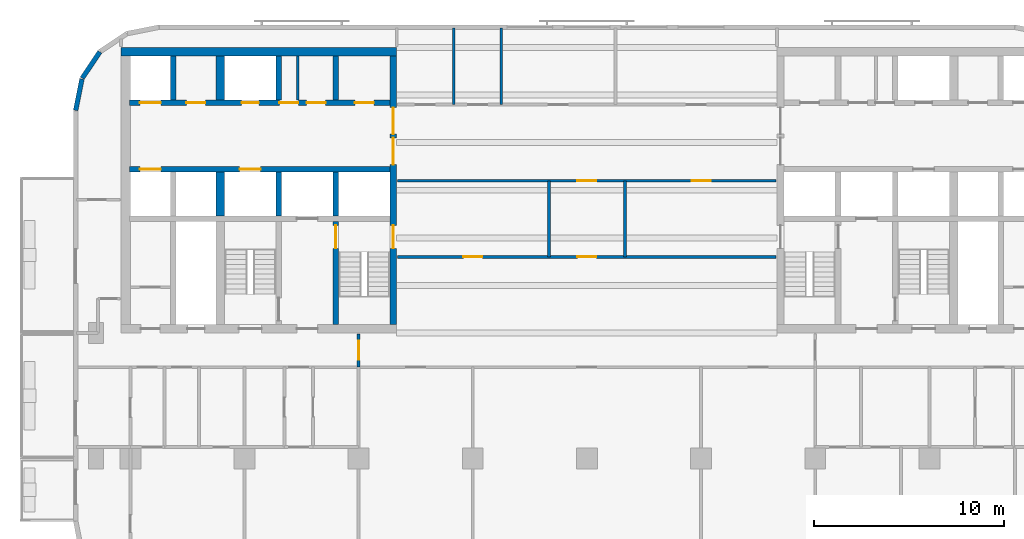
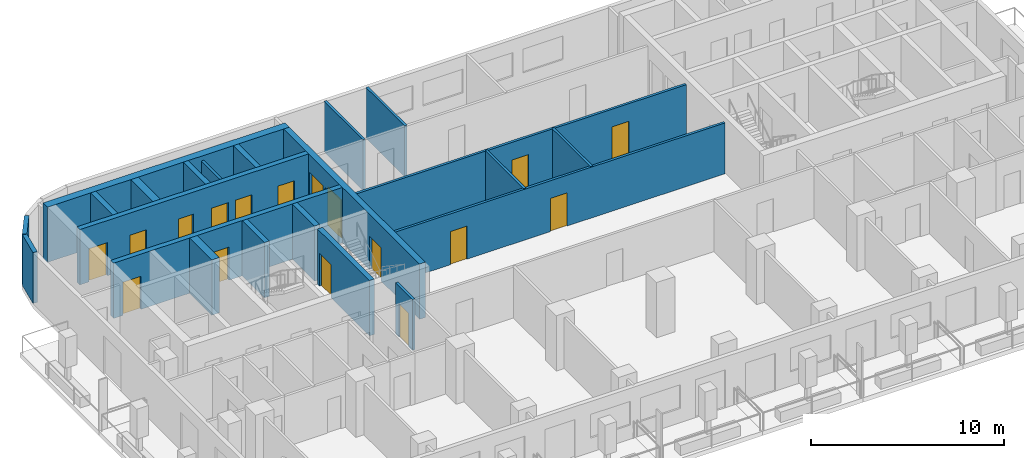
# One storey, part 4 of 11: 22 walls, 17 doors, 17 openings.
"""IFC4 building model written with IfcOpenShell, lengths in metres."""

from ifc_helpers import new_model, si_unit, direction, frame, frame_2d, origin, place, context, subcontext, project, spatial, rectangle, extrude, material, layer, layer_set, type_object, element, fill, save


model = new_model("IFC4")

# Units and contexts
model_context = context("Model", 3, precision=1e-05, world=origin(), true_north=direction((0.0, 1.0)))
body_context = subcontext(model_context, "Body", "Model", "MODEL_VIEW")
ifc_project = project(units=[si_unit("LENGTHUNIT", "METRE"), si_unit("AREAUNIT", "SQUARE_METRE"), si_unit("VOLUMEUNIT", "CUBIC_METRE"), si_unit("PLANEANGLEUNIT", "RADIAN"), si_unit("MASSUNIT", "GRAM", prefix="KILO")], contexts=[model_context])

# Site, building, storey
site_placement = place(None, origin())
site = spatial("IfcSite", under=ifc_project, at=site_placement, CompositionType="ELEMENT")
building_placement = place(site_placement, origin())
building = spatial("IfcBuilding", under=site, at=building_placement, Name="Torana Hotel and Residences", CompositionType="ELEMENT")
storey_placement = place(building_placement, frame((0.0, 0.0, 218.60009765625)))
storey = spatial("IfcBuildingStorey", under=building, at=storey_placement, Name="L57", CompositionType="ELEMENT", Elevation=218.60009765625)

# Wall, openings, doors
ifc_material_1 = material(Name="Concrete C70/85", Category="concrete")
ifc_layer_1 = layer(ifc_material_1, 0.300048828125)
ifc_layer_set_1 = layer_set([ifc_layer_1], Name="CORE WALL 300 C70/85")
wall_type_1 = type_object("IfcWallType", Name="CORE WALL 300 C70/85", PredefinedType="SHEAR", material=ifc_layer_set_1)
wall_1_placement = place(storey_placement, frame((-24.050048828125, -2.89990234375, 0.0), z_axis=(0.0, 0.0, 1.0), x_axis=(1.0, 0.0, 0.0)))
wall_1 = element("IfcWall", 1, at=wall_1_placement, inside=storey, type_object=wall_type_1, Name="Core wall W row-N", PredefinedType="SHEAR", context=body_context, shape_type="SweptSolid", body=[
    extrude(rectangle(XDim=13.699951171875, YDim=0.300048828125, at=frame_2d((6.85009765625, 0.0))), origin(), (0.0, 0.0, 1.0), 3.5),
])
opening_1_placement = place(wall_1_placement, frame((0.550048828125, 0.0, 0.0)))
opening_1 = element("IfcOpeningElement", 2, at=opening_1_placement, cuts=wall_1, Name="Opening LD", PredefinedType="OPENING", context=body_context, shape_type="SweptSolid", body=[
    extrude(rectangle(XDim=1.10009765625, YDim=2.10009765625, at=frame_2d((0.550048828125, 1.050048828125))), frame((0.0, 0.159912109375, 0.0), z_axis=(0.0, -1.0, 0.0), x_axis=(1.0, 0.0, 0.0)), (0.0, 0.0, 1.0), 0.320068359375),
])
opening_2_placement = place(wall_1_placement, frame((5.89990234375, 0.0, 0.0)))
opening_2 = element("IfcOpeningElement", 3, at=opening_2_placement, cuts=wall_1, Name="Opening L57-08", PredefinedType="OPENING", context=body_context, shape_type="SweptSolid", body=[
    extrude(rectangle(XDim=0.89990234375, YDim=2.10009765625, at=frame_2d((0.449951171875, 1.050048828125))), frame((0.0, 0.159912109375, 0.0), z_axis=(0.0, -1.0, 0.0), x_axis=(1.0, 0.0, 0.0)), (0.0, 0.0, 1.0), 0.320068359375),
])
opening_3_placement = place(wall_1_placement, frame((11.85009765625, 0.0, 0.0)))
opening_3 = element("IfcOpeningElement", 4, at=opening_3_placement, cuts=wall_1, Name="Opening L57-09", PredefinedType="OPENING", context=body_context, shape_type="SweptSolid", body=[
    extrude(rectangle(XDim=1.0, YDim=2.10009765625, at=frame_2d((0.5, 1.050048828125))), frame((0.0, 0.159912109375, 0.0), z_axis=(0.0, -1.0, 0.0), x_axis=(1.0, 0.0, 0.0)), (0.0, 0.0, 1.0), 0.320068359375),
])
opening_4_placement = place(wall_1_placement, frame((9.3125, 0.0, 0.0)))
opening_4 = element("IfcOpeningElement", 5, at=opening_4_placement, cuts=wall_1, Name="Opening L57-10", PredefinedType="OPENING", context=body_context, shape_type="SweptSolid", body=[
    extrude(rectangle(XDim=1.0, YDim=2.10009765625, at=frame_2d((0.5, 1.050048828125))), frame((0.0, 0.159912109375, 0.0), z_axis=(0.0, -1.0, 0.0), x_axis=(1.0, 0.0, 0.0)), (0.0, 0.0, 1.0), 0.320068359375),
])
opening_5_placement = place(wall_1_placement, frame((7.887451171875, 0.0, 0.0)))
opening_5 = element("IfcOpeningElement", 6, at=opening_5_placement, cuts=wall_1, Name="Opening L57-11", PredefinedType="OPENING", context=body_context, shape_type="SweptSolid", body=[
    extrude(rectangle(XDim=1.0, YDim=2.10009765625, at=frame_2d((0.5, 1.050048828125))), frame((0.0, 0.159912109375, 0.0), z_axis=(0.0, -1.0, 0.0), x_axis=(1.0, 0.0, 0.0)), (0.0, 0.0, 1.0), 0.320068359375),
])
opening_6_placement = place(wall_1_placement, frame((3.0, 0.0, 0.0)))
opening_6 = element("IfcOpeningElement", 7, at=opening_6_placement, cuts=wall_1, Name="Opening L57-12", PredefinedType="OPENING", context=body_context, shape_type="SweptSolid", body=[
    extrude(rectangle(XDim=1.0, YDim=2.10009765625, at=frame_2d((0.5, 1.050048828125))), frame((0.0, 0.159912109375, 0.0), z_axis=(0.0, -1.0, 0.0), x_axis=(1.0, 0.0, 0.0)), (0.0, 0.0, 1.0), 0.320068359375),
])
ifc_material_2 = material(Name="Steel S235", Category="steel")
door_type_1 = type_object("IfcDoorType", Name="CORE ROOM FIRE DOOR D14 1000x2100", OperationType="SINGLE_SWING_LEFT", PredefinedType="DOOR", material=ifc_material_2)
door_1_placement = place(opening_3_placement, origin())
door_1 = element("IfcDoor", 8, at=door_1_placement, inside=storey, type_object=door_type_1, Name="N0 door L57", OperationType="SINGLE_SWING_RIGHT", OverallHeight=2.10009765625, OverallWidth=1.0, PredefinedType="DOOR", context=body_context, shape_type="SweptSolid", body=[
    extrude(rectangle(XDim=1.0, YDim=2.10009765625, at=frame_2d((0.5, 1.050048828125))), frame((0.0, 0.02490234375, 0.0), z_axis=(0.0, -1.0, 0.0), x_axis=(1.0, 0.0, 0.0)), (0.0, 0.0, 1.0), 0.050048828125),
])
fill(opening_3, door_1)
door_2_placement = place(opening_4_placement, origin())
door_2 = element("IfcDoor", 9, at=door_2_placement, inside=storey, type_object=door_type_1, Name="N1A door L57", OperationType="SINGLE_SWING_RIGHT", OverallHeight=2.10009765625, OverallWidth=1.0, PredefinedType="DOOR", context=body_context, shape_type="SweptSolid", body=[
    extrude(rectangle(XDim=1.0, YDim=2.10009765625, at=frame_2d((0.5, 1.050048828125))), frame((0.0, 0.02490234375, 0.0), z_axis=(0.0, -1.0, 0.0), x_axis=(1.0, 0.0, 0.0)), (0.0, 0.0, 1.0), 0.050048828125),
])
fill(opening_4, door_2)
door_3_placement = place(opening_5_placement, origin())
door_3 = element("IfcDoor", 10, at=door_3_placement, inside=storey, type_object=door_type_1, Name="N1B door L57", OperationType="SINGLE_SWING_RIGHT", OverallHeight=2.10009765625, OverallWidth=1.0, PredefinedType="DOOR", context=body_context, shape_type="SweptSolid", body=[
    extrude(rectangle(XDim=1.0, YDim=2.10009765625, at=frame_2d((0.5, 1.050048828125))), frame((0.0, 0.02490234375, 0.0), z_axis=(0.0, -1.0, 0.0), x_axis=(1.0, 0.0, 0.0)), (0.0, 0.0, 1.0), 0.050048828125),
])
fill(opening_5, door_3)
door_4_placement = place(opening_6_placement, origin())
door_4 = element("IfcDoor", 11, at=door_4_placement, inside=storey, type_object=door_type_1, Name="Freed-S1 door L57", OperationType="SINGLE_SWING_RIGHT", OverallHeight=2.10009765625, OverallWidth=1.0, PredefinedType="DOOR", context=body_context, shape_type="SweptSolid", body=[
    extrude(rectangle(XDim=1.0, YDim=2.10009765625, at=frame_2d((0.5, 1.050048828125))), frame((0.0, 0.02490234375, 0.0), z_axis=(0.0, -1.0, 0.0), x_axis=(1.0, 0.0, 0.0)), (0.0, 0.0, 1.0), 0.050048828125),
])
fill(opening_6, door_4)
ifc_material_3 = material(Name="Stainless steel 316", Category="steel")
door_type_2 = type_object("IfcDoorType", Name="LIFT LANDING DOOR LD 1100x2100", OperationType="DOUBLE_DOOR_SLIDING", PredefinedType="USERDEFINED", material=ifc_material_3)
door_5_placement = place(opening_1_placement, origin())
door_5 = element("IfcDoor", 12, at=door_5_placement, inside=storey, type_object=door_type_2, Name="Lift landing door M1 L57", ObjectType="LIFT LANDING DOOR", OperationType="DOUBLE_DOOR_SLIDING", OverallHeight=2.10009765625, OverallWidth=1.10009765625, PredefinedType="USERDEFINED", context=body_context, shape_type="SweptSolid", body=[
    extrude(rectangle(XDim=1.10009765625, YDim=2.10009765625, at=frame_2d((0.550048828125, 1.050048828125))), frame((0.0, 0.02490234375, 0.0), z_axis=(0.0, -1.0, 0.0), x_axis=(1.0, 0.0, 0.0)), (0.0, 0.0, 1.0), 0.050048828125),
])
fill(opening_1, door_5)
ifc_material_4 = material(Name="Steel S235", Category="steel")
door_type_3 = type_object("IfcDoorType", Name="RISER ACCESS DOOR D5 900x2100", OperationType="SINGLE_SWING_LEFT", PredefinedType="DOOR", material=ifc_material_4)
door_6_placement = place(opening_2_placement, origin())
door_6 = element("IfcDoor", 13, at=door_6_placement, inside=storey, type_object=door_type_3, Name="N2 door L57", OperationType="SINGLE_SWING_RIGHT", OverallHeight=2.10009765625, OverallWidth=0.89990234375, PredefinedType="DOOR", context=body_context, shape_type="SweptSolid", body=[
    extrude(rectangle(XDim=0.89990234375, YDim=2.10009765625, at=frame_2d((0.449951171875, 1.050048828125))), frame((0.0, 0.02490234375, 0.0), z_axis=(0.0, -1.0, 0.0), x_axis=(1.0, 0.0, 0.0)), (0.0, 0.0, 1.0), 0.050048828125),
])
fill(opening_2, door_6)

wall_2_placement = place(storey_placement, frame((-24.050048828125, -6.39990234375, 0.0), z_axis=(0.0, 0.0, 1.0), x_axis=(1.0, 0.0, 0.0)))
wall_2 = element("IfcWall", 14, at=wall_2_placement, inside=storey, type_object=wall_type_1, Name="Core wall W row-S", PredefinedType="SHEAR", context=body_context, shape_type="SweptSolid", body=[
    extrude(rectangle(XDim=13.699951171875, YDim=0.300048828125, at=frame_2d((6.85009765625, 0.0))), origin(), (0.0, 0.0, 1.0), 3.5),
])
opening_7_placement = place(wall_2_placement, frame((0.550048828125, 0.0, 0.0)))
opening_7 = element("IfcOpeningElement", 15, at=opening_7_placement, cuts=wall_2, Name="Opening LD", PredefinedType="OPENING", context=body_context, shape_type="SweptSolid", body=[
    extrude(rectangle(XDim=1.10009765625, YDim=2.10009765625, at=frame_2d((0.550048828125, 1.050048828125))), frame((0.0, 0.159912109375, 0.0), z_axis=(0.0, -1.0, 0.0), x_axis=(1.0, 0.0, 0.0)), (0.0, 0.0, 1.0), 0.320068359375),
])
opening_8_placement = place(wall_2_placement, frame((5.800048828125, 0.0, 0.0)))
opening_8 = element("IfcOpeningElement", 16, at=opening_8_placement, cuts=wall_2, Name="Opening LD", PredefinedType="OPENING", context=body_context, shape_type="SweptSolid", body=[
    extrude(rectangle(XDim=1.10009765625, YDim=2.10009765625, at=frame_2d((0.550048828125, 1.050048828125))), frame((0.0, 0.159912109375, 0.0), z_axis=(0.0, -1.0, 0.0), x_axis=(1.0, 0.0, 0.0)), (0.0, 0.0, 1.0), 0.320068359375),
])
door_7_placement = place(opening_7_placement, origin())
door_7 = element("IfcDoor", 17, at=door_7_placement, inside=storey, type_object=door_type_2, Name="Lift landing door M2 L57", ObjectType="LIFT LANDING DOOR", OperationType="DOUBLE_DOOR_SLIDING", OverallHeight=2.10009765625, OverallWidth=1.10009765625, PredefinedType="USERDEFINED", context=body_context, shape_type="SweptSolid", body=[
    extrude(rectangle(XDim=1.10009765625, YDim=2.10009765625, at=frame_2d((0.550048828125, 1.050048828125))), frame((0.0, 0.02490234375, 0.0), z_axis=(0.0, -1.0, 0.0), x_axis=(1.0, 0.0, 0.0)), (0.0, 0.0, 1.0), 0.050048828125),
])
fill(opening_7, door_7)
door_8_placement = place(opening_8_placement, origin())
door_8 = element("IfcDoor", 18, at=door_8_placement, inside=storey, type_object=door_type_2, Name="Lift landing door SV1 L57", ObjectType="LIFT LANDING DOOR", OperationType="DOUBLE_DOOR_SLIDING", OverallHeight=2.10009765625, OverallWidth=1.10009765625, PredefinedType="USERDEFINED", context=body_context, shape_type="SweptSolid", body=[
    extrude(rectangle(XDim=1.10009765625, YDim=2.10009765625, at=frame_2d((0.550048828125, 1.050048828125))), frame((0.0, 0.02490234375, 0.0), z_axis=(0.0, -1.0, 0.0), x_axis=(1.0, 0.0, 0.0)), (0.0, 0.0, 1.0), 0.050048828125),
])
fill(opening_8, door_8)

# Walls
for number, where, z_axis, x_axis, name in (
    (19, (-13.199951171875, -2.75, 0.0), (0.0, 0.0, 1.0), (0.0, 1.0, 0.0), "Core wall W x3.05-N"),
    (20, (-13.199951171875, -8.85009765625, 0.0), (0.0, 0.0, 1.0), (0.0, 1.0, 0.0), "Core wall W x3.05-S"),
):
    element("IfcWall", number, at=place(storey_placement, frame(where, z_axis=z_axis, x_axis=x_axis)), inside=storey, type_object=wall_type_1, Name=name, PredefinedType="SHEAR", context=body_context, shape_type="SweptSolid", body=[
        extrude(rectangle(XDim=2.300048828125, YDim=0.300048828125, at=frame_2d((1.14990234375, 0.0))), origin(), (0.0, 0.0, 1.0), 3.5),
    ])

# Wall, opening, door
wall_3_placement = place(storey_placement, frame((-13.199951171875, -14.550048828125, 0.0), z_axis=(0.0, 0.0, 1.0), x_axis=(0.0, 1.0, 0.0)))
wall_3 = element("IfcWall", 21, at=wall_3_placement, inside=storey, type_object=wall_type_1, Name="Core wall W x3.05-band", PredefinedType="SHEAR", context=body_context, shape_type="SweptSolid", body=[
    extrude(rectangle(XDim=5.400146484375, YDim=0.300048828125, at=frame_2d((2.7001953125, 0.0))), origin(), (0.0, 0.0, 1.0), 3.5),
])
opening_9_placement = place(wall_3_placement, frame((4.0, 0.0, 0.0)))
opening_9 = element("IfcOpeningElement", 22, at=opening_9_placement, cuts=wall_3, Name="Opening L57-13", PredefinedType="OPENING", context=body_context, shape_type="SweptSolid", body=[
    extrude(rectangle(XDim=1.199951171875, YDim=2.10009765625, at=frame_2d((0.60009765625, 1.050048828125))), frame((0.0, 0.159912109375, 0.0), z_axis=(0.0, -1.0, 0.0), x_axis=(1.0, 0.0, 0.0)), (0.0, 0.0, 1.0), 0.320068359375),
])
ifc_material_5 = material(Name="Steel S235", Category="steel")
door_type_4 = type_object("IfcDoorType", Name="STAIR FIRE DOOR D3 1200x2100", OperationType="SINGLE_SWING_LEFT", PredefinedType="DOOR", material=ifc_material_5)
door_9_placement = place(opening_9_placement, frame((0.60009765625, 0.0, 0.0), z_axis=(0.0, 0.0, 1.0), x_axis=(-1.0, 0.0, 0.0)))
door_9 = element("IfcDoor", 23, at=door_9_placement, inside=storey, type_object=door_type_4, Name="Stair-A-lobby door L57", OperationType="SINGLE_SWING_RIGHT", OverallHeight=2.10009765625, OverallWidth=1.199951171875, PredefinedType="DOOR", context=body_context, shape_type="SweptSolid", body=[
    extrude(rectangle(XDim=1.199951171875, YDim=2.10009765625, at=frame_2d((0.0, 1.050048828125))), frame((0.0, -0.02490234375, 0.0), z_axis=(0.0, 1.0, 0.0), x_axis=(-1.0, 0.0, 0.0)), (0.0, 0.0, 1.0), 0.050048828125),
])
fill(opening_9, door_9)

# Walls
for number, where, z_axis, x_axis, name in (
    (24, (-16.199951171875, -2.75, 0.0), (0.0, 0.0, 1.0), (0.0, 1.0, 0.0), "Core wall W x6.05-N"),
    (25, (-16.199951171875, -8.85009765625, 0.0), (0.0, 0.0, 1.0), (0.0, 1.0, 0.0), "Core wall W x6.05-S"),
    (26, (-21.75, -2.75, 0.0), (0.0, 0.0, 1.0), (0.0, 1.0, 0.0), "Core wall W mm-N"),
):
    element("IfcWall", number, at=place(storey_placement, frame(where, z_axis=z_axis, x_axis=x_axis)), inside=storey, type_object=wall_type_1, Name=name, PredefinedType="SHEAR", context=body_context, shape_type="SweptSolid", body=[
        extrude(rectangle(XDim=2.300048828125, YDim=0.300048828125, at=frame_2d((1.14990234375, 0.0))), origin(), (0.0, 0.0, 1.0), 3.5),
    ])

# Wall, openings, doors
ifc_material_6 = material(Name="Concrete C70/85", Category="concrete")
ifc_layer_2 = layer(ifc_material_6, 0.35009765625)
ifc_layer_set_2 = layer_set([ifc_layer_2], Name="CORE WALL 350 C70/85")
wall_type_2 = type_object("IfcWallType", Name="CORE WALL 350 C70/85", PredefinedType="SHEAR", material=ifc_layer_set_2)
wall_4_placement = place(storey_placement, frame((-10.175048828125, -14.550048828125, 0.0), z_axis=(0.0, 0.0, 1.0), x_axis=(0.0, 1.0, 0.0)))
wall_4 = element("IfcWall", 27, at=wall_4_placement, inside=storey, type_object=wall_type_2, Name="Core wall W arch", PredefinedType="SHEAR", context=body_context, shape_type="SweptSolid", body=[
    extrude(rectangle(XDim=14.10009765625, YDim=0.35009765625, at=frame_2d((7.050048828125, 0.0))), origin(), (0.0, 0.0, 1.0), 3.5),
])
opening_10_placement = place(wall_4_placement, frame((8.39990234375, 0.0, 0.0)))
opening_10 = element("IfcOpeningElement", 28, at=opening_10_placement, cuts=wall_4, Name="Opening L57-01", PredefinedType="OPENING", context=body_context, shape_type="SweptSolid", body=[
    extrude(rectangle(XDim=1.39990234375, YDim=2.39990234375, at=frame_2d((0.699951171875, 1.199951171875))), frame((0.0, 0.18505859375, 0.0), z_axis=(0.0, -1.0, 0.0), x_axis=(1.0, 0.0, 0.0)), (0.0, 0.0, 1.0), 0.3701171875),
])
opening_11_placement = place(wall_4_placement, frame((10.0, 0.0, 0.0)))
opening_11 = element("IfcOpeningElement", 29, at=opening_11_placement, cuts=wall_4, Name="Opening L57-02", PredefinedType="OPENING", context=body_context, shape_type="SweptSolid", body=[
    extrude(rectangle(XDim=1.39990234375, YDim=2.39990234375, at=frame_2d((0.699951171875, 1.199951171875))), frame((0.0, 0.18505859375, 0.0), z_axis=(0.0, -1.0, 0.0), x_axis=(1.0, 0.0, 0.0)), (0.0, 0.0, 1.0), 0.3701171875),
])
opening_12_placement = place(wall_4_placement, frame((4.0, 0.0, 0.0)))
opening_12 = element("IfcOpeningElement", 30, at=opening_12_placement, cuts=wall_4, Name="Opening L57-03", PredefinedType="OPENING", context=body_context, shape_type="SweptSolid", body=[
    extrude(rectangle(XDim=1.199951171875, YDim=2.10009765625, at=frame_2d((0.60009765625, 1.050048828125))), frame((0.0, 0.18505859375, 0.0), z_axis=(0.0, -1.0, 0.0), x_axis=(1.0, 0.0, 0.0)), (0.0, 0.0, 1.0), 0.3701171875),
])
ifc_material_7 = material(Name="Steel S235", Category="steel")
door_type_5 = type_object("IfcDoorType", Name="LOBBY FIRE DOOR D4 1400x2400", OperationType="DOUBLE_DOOR_SINGLE_SWING", PredefinedType="DOOR", material=ifc_material_7)
door_10_placement = place(opening_10_placement, origin())
door_10 = element("IfcDoor", 31, at=door_10_placement, inside=storey, type_object=door_type_5, Name="Lobby-1 door L57", OperationType="DOUBLE_DOOR_SINGLE_SWING", OverallHeight=2.39990234375, OverallWidth=1.39990234375, PredefinedType="DOOR", context=body_context, shape_type="SweptSolid", body=[
    extrude(rectangle(XDim=1.39990234375, YDim=2.39990234375, at=frame_2d((0.699951171875, 1.199951171875))), frame((0.0, 0.02490234375, 0.0), z_axis=(0.0, -1.0, 0.0), x_axis=(1.0, 0.0, 0.0)), (0.0, 0.0, 1.0), 0.050048828125),
])
fill(opening_10, door_10)
door_11_placement = place(opening_11_placement, origin())
door_11 = element("IfcDoor", 32, at=door_11_placement, inside=storey, type_object=door_type_5, Name="Lobby-2 door L57", OperationType="DOUBLE_DOOR_SINGLE_SWING", OverallHeight=2.39990234375, OverallWidth=1.39990234375, PredefinedType="DOOR", context=body_context, shape_type="SweptSolid", body=[
    extrude(rectangle(XDim=1.39990234375, YDim=2.39990234375, at=frame_2d((0.699951171875, 1.199951171875))), frame((0.0, 0.02490234375, 0.0), z_axis=(0.0, -1.0, 0.0), x_axis=(1.0, 0.0, 0.0)), (0.0, 0.0, 1.0), 0.050048828125),
])
fill(opening_11, door_11)
door_12_placement = place(opening_12_placement, origin())
door_12 = element("IfcDoor", 33, at=door_12_placement, inside=storey, type_object=door_type_4, Name="Stair-A door L57", OperationType="SINGLE_SWING_LEFT", OverallHeight=2.10009765625, OverallWidth=1.199951171875, PredefinedType="DOOR", context=body_context, shape_type="SweptSolid", body=[
    extrude(rectangle(XDim=1.199951171875, YDim=2.10009765625, at=frame_2d((0.60009765625, 1.050048828125))), frame((0.0, 0.02490234375, 0.0), z_axis=(0.0, -1.0, 0.0), x_axis=(1.0, 0.0, 0.0)), (0.0, 0.0, 1.0), 0.050048828125),
])
fill(opening_12, door_12)

# Walls
ifc_material_8 = material(Name="Concrete C70/85", Category="concrete")
ifc_layer_3 = layer(ifc_material_8, 0.449951171875)
ifc_layer_set_3 = layer_set([ifc_layer_3], Name="CORE WALL 450 C70/85")
wall_type_3 = type_object("IfcWallType", Name="CORE WALL 450 C70/85", PredefinedType="SHEAR", material=ifc_layer_set_3)
wall_5_placement = place(storey_placement, frame((-24.5, -0.22509765625, 0.0), z_axis=(0.0, 0.0, 1.0), x_axis=(1.0, 0.0, 0.0)))
element("IfcWall", 34, at=wall_5_placement, inside=storey, type_object=wall_type_3, Name="Core wall W rear", PredefinedType="SHEAR", context=body_context, shape_type="SweptSolid", body=[
    extrude(rectangle(XDim=14.5, YDim=0.449951171875, at=frame_2d((7.25, 0.0))), origin(), (0.0, 0.0, 1.0), 3.5),
])
for number, where, z_axis, x_axis, name in (
    (35, (-19.27490234375, -2.75, 0.0), (0.0, 0.0, 1.0), (0.0, 1.0, 0.0), "Core wall W hm-N"),
    (36, (-19.27490234375, -8.85009765625, 0.0), (0.0, 0.0, 1.0), (0.0, 1.0, 0.0), "Core wall W hm-S"),
):
    element("IfcWall", number, at=place(storey_placement, frame(where, z_axis=z_axis, x_axis=x_axis)), inside=storey, type_object=wall_type_3, Name=name, PredefinedType="SHEAR", context=body_context, shape_type="SweptSolid", body=[
        extrude(rectangle(XDim=2.300048828125, YDim=0.449951171875, at=frame_2d((1.14990234375, 0.0))), origin(), (0.0, 0.0, 1.0), 3.5),
    ])
ifc_material_9 = material(Name="Black aluminium composite panel", Category="aluminium")
ifc_layer_4 = layer(ifc_material_9, 0.00390625, Name="Cladding", Category="cladding")
ifc_material_10 = material(Name="Ventilated air cavity")
ifc_layer_5 = layer(ifc_material_10, 0.0400390625, Name="Ventilated cavity", Category="cavity")
ifc_material_11 = material(Name="Mineral wool insulation")
ifc_layer_6 = layer(ifc_material_11, 0.090087890625, Name="Insulation", Category="insulation")
ifc_material_12 = material(Name="Steel S280GD", Category="steel")
ifc_layer_7 = layer(ifc_material_12, 0.092041015625, Name="Steel stud frame", Category="structure")
ifc_material_13 = material(Name="Fire rated plasterboard")
ifc_layer_8 = layer(ifc_material_13, 0.011962890625, Name="Inner board", Category="finish")
ifc_layer_9 = layer(ifc_material_13, 0.011962890625, Name="Second board", Category="finish")
ifc_layer_set_4 = layer_set([ifc_layer_4, ifc_layer_5, ifc_layer_6, ifc_layer_7, ifc_layer_8, ifc_layer_9], Name="EW1 EXTERNAL WALL BLACK METAL CLAD 250")
wall_type_4 = type_object("IfcWallType", Name="EW1 EXTERNAL WALL BLACK METAL CLAD 250", PredefinedType="SOLIDWALL", material=ifc_layer_set_4)
wall_6_placement = place(storey_placement, frame((-25.605712890625, -0.228759765625, 0.0), z_axis=(0.0, 0.0, 1.0), x_axis=(-0.55555029066, -0.831482937015, 0.0)))
element("IfcWall", 37, at=wall_6_placement, inside=storey, type_object=wall_type_4, Name="External wall L57 e0.7", PredefinedType="SOLIDWALL", context=body_context, shape_type="SweptSolid", body=[
    extrude(rectangle(XDim=1.65625, YDim=0.25, at=frame_2d((0.828125, 0.0))), origin(), (0.0, 0.0, 1.0), 3.219970703125),
])
wall_7_placement = place(storey_placement, frame((-26.544677734375, -1.651123046875, 0.0), z_axis=(0.0, 0.0, 1.0), x_axis=(-0.194999110559, -0.980803419081, 0.0)))
element("IfcWall", 38, at=wall_7_placement, inside=storey, type_object=wall_type_4, Name="External wall L57 e0.8", PredefinedType="SOLIDWALL", context=body_context, shape_type="SweptSolid", body=[
    extrude(rectangle(XDim=1.681396484375, YDim=0.25, at=frame_2d((0.8408203125, 0.0))), origin(), (0.0, 0.0, 1.0), 3.219970703125),
])
ifc_material_14 = material(Name="Gypsum plaster")
ifc_layer_10 = layer(ifc_material_14, 0.014892578125, Name="Plaster", Category="finish")
ifc_material_15 = material(Name="Concrete blockwork", Category="masonry")
ifc_layer_11 = layer(ifc_material_15, 0.1201171875, Name="Blockwork", Category="structure")
ifc_layer_12 = layer(ifc_material_14, 0.014892578125, Name="Plaster", Category="finish")
ifc_layer_set_5 = layer_set([ifc_layer_10, ifc_layer_11, ifc_layer_12], Name="FIRE PARTITION 150 BLOCKWORK")
wall_type_5 = type_object("IfcWallType", Name="FIRE PARTITION 150 BLOCKWORK", PredefinedType="PARTITIONING", material=ifc_layer_set_5)
wall_8_placement = place(storey_placement, frame((-15.199951171875, -2.75, 0.0), z_axis=(0.0, 0.0, 1.0), x_axis=(0.0, 1.0, 0.0)))
element("IfcWall", 39, at=wall_8_placement, inside=storey, type_object=wall_type_5, Name="Core partition L57", PredefinedType="PARTITIONING", context=body_context, shape_type="SweptSolid", body=[
    extrude(rectangle(XDim=2.300048828125, YDim=0.14990234375, at=frame_2d((1.14990234375, 0.0))), origin(), (0.0, 0.0, 1.0), 3.199951171875),
])
for number, where, z_axis, x_axis, name in (
    (40, (2.0, -11.0, 0.0), (0.0, 0.0, 1.0), (0.0, 1.0, 0.0), "Partition L57"),
    (41, (-2.0, -11.0, 0.0), (0.0, 0.0, 1.0), (0.0, 1.0, 0.0), "Partition L57"),
):
    element("IfcWall", number, at=place(storey_placement, frame(where, z_axis=z_axis, x_axis=x_axis)), inside=storey, type_object=wall_type_5, Name=name, PredefinedType="PARTITIONING", context=body_context, shape_type="SweptSolid", body=[
        extrude(rectangle(XDim=4.0, YDim=0.14990234375, at=frame_2d((2.0, 0.0))), origin(), (0.0, 0.0, 1.0), 3.219970703125),
    ])

# Wall, opening, door
wall_9_placement = place(storey_placement, frame((-12.0, -16.800048828125, 0.0), z_axis=(0.0, 0.0, 1.0), x_axis=(0.0, 1.0, 0.0)))
wall_9 = element("IfcWall", 42, at=wall_9_placement, inside=storey, type_object=wall_type_5, Name="Partition L57", PredefinedType="PARTITIONING", context=body_context, shape_type="SweptSolid", body=[
    extrude(rectangle(XDim=1.75, YDim=0.14990234375, at=frame_2d((0.875, 0.0))), origin(), (0.0, 0.0, 1.0), 3.219970703125),
])
opening_13_placement = place(wall_9_placement, frame((0.39990234375, 0.0, 0.0)))
opening_13 = element("IfcOpeningElement", 43, at=opening_13_placement, cuts=wall_9, Name="Opening L57-31", PredefinedType="OPENING", context=body_context, shape_type="SweptSolid", body=[
    extrude(rectangle(XDim=1.0, YDim=2.10009765625, at=frame_2d((0.5, 1.050048828125))), frame((0.0, 0.0849609375, 0.0), z_axis=(0.0, -1.0, 0.0), x_axis=(1.0, 0.0, 0.0)), (0.0, 0.0, 1.0), 0.169921875),
])
ifc_material_16 = material(Name="Steel S235", Category="steel")
door_type_6 = type_object("IfcDoorType", Name="ENTRY FIRE DOOR D6 1000x2100", OperationType="SINGLE_SWING_LEFT", PredefinedType="DOOR", material=ifc_material_16)
door_13_placement = place(opening_13_placement, origin())
door_13 = element("IfcDoor", 44, at=door_13_placement, inside=storey, type_object=door_type_6, Name="Door L57", OperationType="SINGLE_SWING_RIGHT", OverallHeight=2.10009765625, OverallWidth=1.0, PredefinedType="DOOR", context=body_context, shape_type="SweptSolid", body=[
    extrude(rectangle(XDim=1.0, YDim=2.10009765625, at=frame_2d((0.5, 1.050048828125))), frame((0.0, 0.02490234375, 0.0), z_axis=(0.0, -1.0, 0.0), x_axis=(1.0, 0.0, 0.0)), (0.0, 0.0, 1.0), 0.050048828125),
])
fill(opening_13, door_13)

# Wall, openings, doors
wall_10_placement = place(storey_placement, frame((-9.949951171875, -11.0, 0.0), z_axis=(0.0, 0.0, 1.0), x_axis=(1.0, 0.0, 0.0)))
wall_10 = element("IfcWall", 45, at=wall_10_placement, inside=storey, type_object=wall_type_5, Name="Partition L57", PredefinedType="PARTITIONING", context=body_context, shape_type="SweptSolid", body=[
    extrude(rectangle(XDim=19.89990234375, YDim=0.14990234375, at=frame_2d((9.949951171875, 0.0))), origin(), (0.0, 0.0, 1.0), 3.219970703125),
])
opening_14_placement = place(wall_10_placement, frame((9.449951171875, 0.0, 0.0)))
opening_14 = element("IfcOpeningElement", 46, at=opening_14_placement, cuts=wall_10, Name="Opening L57-40", PredefinedType="OPENING", context=body_context, shape_type="SweptSolid", body=[
    extrude(rectangle(XDim=1.0, YDim=2.10009765625, at=frame_2d((0.5, 1.050048828125))), frame((0.0, 0.0849609375, 0.0), z_axis=(0.0, -1.0, 0.0), x_axis=(1.0, 0.0, 0.0)), (0.0, 0.0, 1.0), 0.169921875),
])
opening_15_placement = place(wall_10_placement, frame((3.449951171875, 0.0, 0.0)))
opening_15 = element("IfcOpeningElement", 47, at=opening_15_placement, cuts=wall_10, Name="Opening L57-44", PredefinedType="OPENING", context=body_context, shape_type="SweptSolid", body=[
    extrude(rectangle(XDim=1.0, YDim=2.10009765625, at=frame_2d((0.5, 1.050048828125))), frame((0.0, 0.0849609375, 0.0), z_axis=(0.0, -1.0, 0.0), x_axis=(1.0, 0.0, 0.0)), (0.0, 0.0, 1.0), 0.169921875),
])
door_14_placement = place(opening_14_placement, origin())
door_14 = element("IfcDoor", 48, at=door_14_placement, inside=storey, type_object=door_type_6, Name="Door L57", OperationType="SINGLE_SWING_RIGHT", OverallHeight=2.10009765625, OverallWidth=1.0, PredefinedType="DOOR", context=body_context, shape_type="SweptSolid", body=[
    extrude(rectangle(XDim=1.0, YDim=2.10009765625, at=frame_2d((0.5, 1.050048828125))), frame((0.0, 0.02490234375, 0.0), z_axis=(0.0, -1.0, 0.0), x_axis=(1.0, 0.0, 0.0)), (0.0, 0.0, 1.0), 0.050048828125),
])
fill(opening_14, door_14)
door_15_placement = place(opening_15_placement, origin())
door_15 = element("IfcDoor", 49, at=door_15_placement, inside=storey, type_object=door_type_6, Name="Door L57", OperationType="SINGLE_SWING_RIGHT", OverallHeight=2.10009765625, OverallWidth=1.0, PredefinedType="DOOR", context=body_context, shape_type="SweptSolid", body=[
    extrude(rectangle(XDim=1.0, YDim=2.10009765625, at=frame_2d((0.5, 1.050048828125))), frame((0.0, 0.02490234375, 0.0), z_axis=(0.0, -1.0, 0.0), x_axis=(1.0, 0.0, 0.0)), (0.0, 0.0, 1.0), 0.050048828125),
])
fill(opening_15, door_15)

wall_11_placement = place(storey_placement, frame((-9.949951171875, -7.0, 0.0), z_axis=(0.0, 0.0, 1.0), x_axis=(1.0, 0.0, 0.0)))
wall_11 = element("IfcWall", 50, at=wall_11_placement, inside=storey, type_object=wall_type_5, Name="Partition L57", PredefinedType="PARTITIONING", context=body_context, shape_type="SweptSolid", body=[
    extrude(rectangle(XDim=19.89990234375, YDim=0.14990234375, at=frame_2d((9.949951171875, 0.0))), origin(), (0.0, 0.0, 1.0), 3.219970703125),
])
opening_16_placement = place(wall_11_placement, frame((9.449951171875, 0.0, 0.0)))
opening_16 = element("IfcOpeningElement", 51, at=opening_16_placement, cuts=wall_11, Name="Opening L57-45", PredefinedType="OPENING", context=body_context, shape_type="SweptSolid", body=[
    extrude(rectangle(XDim=1.0, YDim=2.10009765625, at=frame_2d((0.5, 1.050048828125))), frame((0.0, 0.0849609375, 0.0), z_axis=(0.0, -1.0, 0.0), x_axis=(1.0, 0.0, 0.0)), (0.0, 0.0, 1.0), 0.169921875),
])
opening_17_placement = place(wall_11_placement, frame((15.449951171875, 0.0, 0.0)))
opening_17 = element("IfcOpeningElement", 52, at=opening_17_placement, cuts=wall_11, Name="Opening L57-46", PredefinedType="OPENING", context=body_context, shape_type="SweptSolid", body=[
    extrude(rectangle(XDim=1.0, YDim=2.10009765625, at=frame_2d((0.5, 1.050048828125))), frame((0.0, 0.0849609375, 0.0), z_axis=(0.0, -1.0, 0.0), x_axis=(1.0, 0.0, 0.0)), (0.0, 0.0, 1.0), 0.169921875),
])
door_16_placement = place(opening_16_placement, origin())
door_16 = element("IfcDoor", 53, at=door_16_placement, inside=storey, type_object=door_type_6, Name="Door L57", OperationType="SINGLE_SWING_RIGHT", OverallHeight=2.10009765625, OverallWidth=1.0, PredefinedType="DOOR", context=body_context, shape_type="SweptSolid", body=[
    extrude(rectangle(XDim=1.0, YDim=2.10009765625, at=frame_2d((0.5, 1.050048828125))), frame((0.0, 0.02490234375, 0.0), z_axis=(0.0, -1.0, 0.0), x_axis=(1.0, 0.0, 0.0)), (0.0, 0.0, 1.0), 0.050048828125),
])
fill(opening_16, door_16)
door_17_placement = place(opening_17_placement, frame((0.5, 0.0, 0.0), z_axis=(0.0, 0.0, 1.0), x_axis=(-1.0, 0.0, 0.0)))
door_17 = element("IfcDoor", 54, at=door_17_placement, inside=storey, type_object=door_type_6, Name="Door L57", OperationType="SINGLE_SWING_LEFT", OverallHeight=2.10009765625, OverallWidth=1.0, PredefinedType="DOOR", context=body_context, shape_type="SweptSolid", body=[
    extrude(rectangle(XDim=1.0, YDim=2.10009765625, at=frame_2d((0.0, 1.050048828125))), frame((0.0, -0.02490234375, 0.0), z_axis=(0.0, 1.0, 0.0), x_axis=(-1.0, 0.0, 0.0)), (0.0, 0.0, 1.0), 0.050048828125),
])
fill(opening_17, door_17)

# Walls
ifc_material_17 = material(Name="Ceramic tile on adhesive")
ifc_layer_13 = layer(ifc_material_17, 0.010009765625, Name="Wall tile", Category="finish")
ifc_material_18 = material(Name="Cement render")
ifc_layer_14 = layer(ifc_material_18, 0.010009765625, Name="Render", Category="finish")
ifc_layer_15 = layer(ifc_material_15, 0.110107421875, Name="Blockwork", Category="structure")
ifc_layer_16 = layer(ifc_material_18, 0.010009765625, Name="Render", Category="finish")
ifc_layer_17 = layer(ifc_material_17, 0.010009765625, Name="Wall tile", Category="finish")
ifc_layer_set_6 = layer_set([ifc_layer_13, ifc_layer_14, ifc_layer_15, ifc_layer_16, ifc_layer_17], Name="WC PARTITION 150")
wall_type_6 = type_object("IfcWallType", Name="WC PARTITION 150", PredefinedType="PLUMBINGWALL", material=ifc_layer_set_6)
for number, where, z_axis, x_axis, name in (
    (55, (-4.5, -3.0, 0.0), (0.0, 0.0, 1.0), (0.0, 1.0, 0.0), "Partition L57"),
    (56, (-7.0, -3.0, 0.0), (0.0, 0.0, 1.0), (0.0, 1.0, 0.0), "Partition L57"),
):
    element("IfcWall", number, at=place(storey_placement, frame(where, z_axis=z_axis, x_axis=x_axis)), inside=storey, type_object=wall_type_6, Name=name, PredefinedType="PLUMBINGWALL", context=body_context, shape_type="SweptSolid", body=[
        extrude(rectangle(XDim=4.02001953125, YDim=0.14990234375, at=frame_2d((2.010009765625, 0.0))), origin(), (0.0, 0.0, 1.0), 3.219970703125),
    ])

save(model, "model.ifc")
